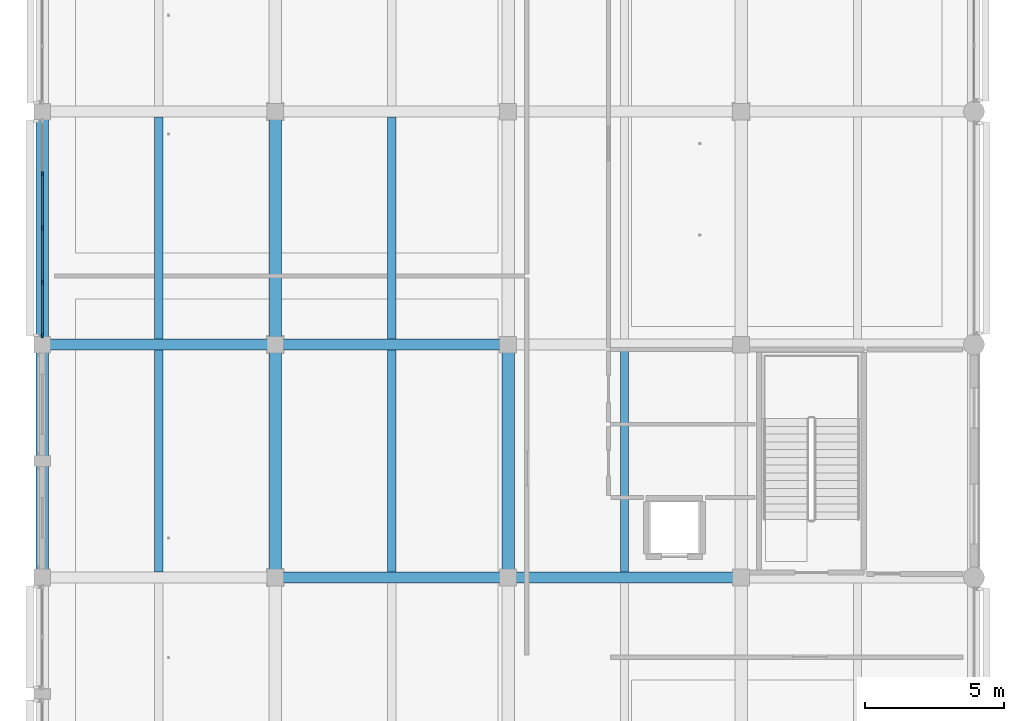
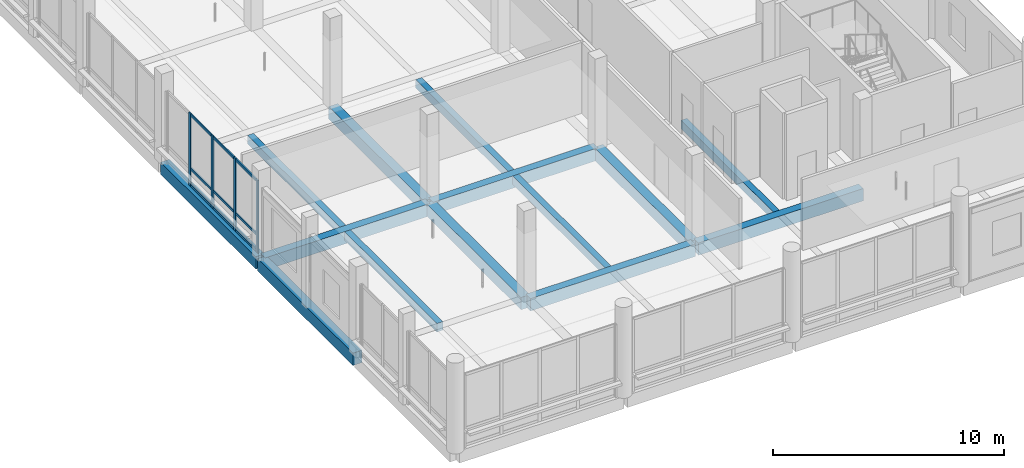
# One storey, part 4 of 122: 14 beams, 13 members, 1 element without a shape of its own.
"""IFC4 building model written with IfcOpenShell, lengths in metres."""

from ifc_helpers import new_model, si_unit, direction, frame, origin, origin_2d, place, context, subcontext, project, spatial, rectangle, extrude, material, layer, layer_set, material_profile, profile_set, type_object, element, aggregate, save


model = new_model("IFC4")

# Units and contexts
model_context = context("Model", 3, precision=1e-05, world=origin(), true_north=direction((0.0, 1.0)))
body_context = subcontext(model_context, "Body", "Model", "MODEL_VIEW")
ifc_project = project(units=[si_unit("LENGTHUNIT", "METRE"), si_unit("AREAUNIT", "SQUARE_METRE"), si_unit("VOLUMEUNIT", "CUBIC_METRE"), si_unit("PLANEANGLEUNIT", "RADIAN"), si_unit("MASSUNIT", "GRAM", prefix="KILO")], contexts=[model_context])

# Site, building, storey
site_placement = place(None, origin())
site = spatial("IfcSite", under=ifc_project, at=site_placement, CompositionType="ELEMENT")
building_placement = place(site_placement, origin())
building = spatial("IfcBuilding", under=site, at=building_placement, Name="Telukmera Botanical Conservatory", CompositionType="ELEMENT")
storey_placement = place(building_placement, frame((0.0, 0.0, 10.199951171875)))
storey = spatial("IfcBuildingStorey", under=building, at=storey_placement, Name="L02", CompositionType="ELEMENT", Elevation=10.199951171875)

# Beams
ifc_material_1 = material(Name="Concrete C40/50", Category="concrete")
ifc_material_profile_1 = material_profile(ifc_material_1, rectangle(XDim=0.449951171875, YDim=0.64990234375, at=origin_2d()), Name="RC 450x650")
ifc_profile_set_1 = profile_set([ifc_material_profile_1], Name="Concrete C40/50")
beam_type_1 = type_object("IfcBeamType", Name="Beam_B16", PredefinedType="BEAM", material=ifc_profile_set_1)
for number, where, z_axis, x_axis, name in (
    (1, (8.39990234375, 26.080078125, -0.324951171875), (0.0, 1.0, 0.0), (-1.0, 0.0, 0.0), "Visitor Wing Transverse Beam L02"),
    (2, (8.39990234375, 34.47998046875, -0.324951171875), (0.0, 1.0, 0.0), (-1.0, 0.0, 0.0), "Visitor Wing Transverse Beam L02"),
    (3, (16.800048828125, 26.080078125, -0.324951171875), (0.0, 1.0, 0.0), (-1.0, 0.0, 0.0), "Visitor Wing Transverse Beam L02"),
    (4, (16.800048828125, 34.47998046875, -0.324951171875), (0.0, 1.0, 0.0), (-1.0, 0.0, 0.0), "Visitor Wing Transverse Beam L02"),
    (5, (25.199951171875, 26.080078125, -0.324951171875), (0.0, 1.0, 0.0), (-1.0, 0.0, 0.0), "Visitor Wing Transverse Beam L02"),
):
    element("IfcBeam", number, at=place(storey_placement, frame(where, z_axis=z_axis, x_axis=x_axis)), inside=storey, type_object=beam_type_1, Name=name, PredefinedType="BEAM", context=body_context, shape_type="SweptSolid", body=[
        extrude(rectangle(XDim=0.449951171875, YDim=0.64990234375, at=origin_2d()), origin(), (0.0, 0.0, 1.0), 8.239990234375),
    ])
ifc_material_profile_2 = material_profile(ifc_material_1, rectangle(XDim=0.300048828125, YDim=0.449951171875, at=origin_2d()), Name="RC 300x450")
ifc_profile_set_2 = profile_set([ifc_material_profile_2], Name="Concrete C40/50")
beam_type_2 = type_object("IfcBeamType", Name="Beam_B25", PredefinedType="JOIST", material=ifc_profile_set_2)
for number, where, z_axis, x_axis, name in (
    (6, (12.60009765625, 26.199951171875, -0.224853515625), (0.0, 1.0, 0.0), (-1.0, 0.0, 0.0), "Visitor Wing Floor Joist L02"),
    (7, (12.60009765625, 34.60009765625, -0.224853515625), (0.0, 1.0, 0.0), (-1.0, 0.0, 0.0), "Visitor Wing Floor Joist L02"),
    (8, (21.0, 26.199951171875, -0.224853515625), (0.0, 1.0, 0.0), (-1.0, 0.0, 0.0), "Visitor Wing Floor Joist L02"),
    (9, (21.0, 34.60009765625, -0.224853515625), (0.0, 1.0, 0.0), (-1.0, 0.0, 0.0), "Visitor Wing Floor Joist L02"),
    (10, (29.39990234375, 26.199951171875, -0.224853515625), (0.0, 1.0, 0.0), (-1.0, 0.0, 0.0), "Visitor Wing Floor Joist L02"),
):
    element("IfcBeam", number, at=place(storey_placement, frame(where, z_axis=z_axis, x_axis=x_axis)), inside=storey, type_object=beam_type_2, Name=name, PredefinedType="JOIST", context=body_context, shape_type="SweptSolid", body=[
        extrude(rectangle(XDim=0.300048828125, YDim=0.449951171875, at=origin_2d()), origin(), (0.0, 0.0, 1.0), 8.0),
    ])
ifc_material_profile_3 = material_profile(ifc_material_1, rectangle(XDim=0.39990234375, YDim=0.64990234375, at=origin_2d()), Name="RC 400x650")
ifc_profile_set_3 = profile_set([ifc_material_profile_3], Name="Concrete C40/50")
beam_type_3 = type_object("IfcBeamType", Name="Beam_B8", PredefinedType="BEAM", material=ifc_profile_set_3)
beam_1_placement = place(storey_placement, frame((16.8798828125, 26.0, -0.324951171875), z_axis=(1.0, 0.0, 0.0), x_axis=(0.0, 1.0, 0.0)))
element("IfcBeam", 11, at=beam_1_placement, inside=storey, type_object=beam_type_3, Name="Visitor Wing Grid Beam L02", PredefinedType="BEAM", context=body_context, shape_type="SweptSolid", body=[
    extrude(rectangle(XDim=0.39990234375, YDim=0.64990234375, at=origin_2d()), origin(), (0.0, 0.0, 1.0), 8.240234375),
])
for number, where, z_axis, x_axis, name in (
    (12, (25.280029296875, 26.0, -0.324951171875), (1.0, 0.0, 0.0), (0.0, 1.0, 0.0), "Visitor Wing Grid Beam L02"),
    (13, (8.47998046875, 34.39990234375, -0.324951171875), (1.0, 0.0, 0.0), (0.0, 1.0, 0.0), "Visitor Wing Grid Beam L02"),
):
    element("IfcBeam", number, at=place(storey_placement, frame(where, z_axis=z_axis, x_axis=x_axis)), inside=storey, type_object=beam_type_3, Name=name, PredefinedType="BEAM", context=body_context, shape_type="SweptSolid", body=[
        extrude(rectangle(XDim=0.39990234375, YDim=0.64990234375, at=origin_2d()), origin(), (0.0, 0.0, 1.0), 8.239990234375),
    ])
beam_2_placement = place(storey_placement, frame((16.8798828125, 34.39990234375, -0.324951171875), z_axis=(1.0, 0.0, 0.0), x_axis=(0.0, 1.0, 0.0)))
element("IfcBeam", 14, at=beam_2_placement, inside=storey, type_object=beam_type_3, Name="Visitor Wing Grid Beam L02", PredefinedType="BEAM", context=body_context, shape_type="SweptSolid", body=[
    extrude(rectangle(XDim=0.39990234375, YDim=0.64990234375, at=origin_2d()), origin(), (0.0, 0.0, 1.0), 8.240234375),
])

# Curtain wall, members
ifc_material_2 = material(Name="Anodised aluminium 6063-T6", Category="aluminium")
ifc_layer = layer(ifc_material_2, 0.179931640625)
ifc_layer_set = layer_set([ifc_layer], Name="Anodised aluminium 6063-T6")
curtain_wall_type = type_object("IfcCurtainWallType", Name="Visitor Gallery First Floor Curtain Wall 1800 Mod", PredefinedType="USERDEFINED", material=ifc_layer_set)
curtain_wall_placement = place(storey_placement, origin())
curtain_wall = element("IfcCurtainWall", 15, at=curtain_wall_placement, inside=storey, type_object=curtain_wall_type, Name="Unitised Curtain Wall CW08 V3:L02:W3", ObjectType="UNITISED CURTAIN WALL", PredefinedType="USERDEFINED")
ifc_material_profile_4 = material_profile(ifc_material_2, rectangle(XDim=0.06494140625, YDim=0.159912109375, at=origin_2d()), Name="ALU MULL 65x160")
ifc_profile_set_4 = profile_set([ifc_material_profile_4], Name="Anodised aluminium 6063-T6")
member_type_1 = type_object("IfcMemberType", Name="Curtain Wall Extruded Mullion 65x160", PredefinedType="MULLION", material=ifc_profile_set_4)
member_1_placement = place(storey_placement, frame((8.39990234375, 34.734619140625, 0.0), z_axis=(0.0, 0.0, 1.0), x_axis=(-1.0, 0.0, 0.0)))
member_1 = element("IfcMember", 16, at=member_1_placement, type_object=member_type_1, Name="CW08 mullion 1", PredefinedType="MULLION", context=body_context, shape_type="SweptSolid", body=[
    extrude(rectangle(XDim=0.06494140625, YDim=0.159912109375, at=origin_2d()), origin(), (0.0, 0.0, 1.0), 3.85009765625),
])
member_2_placement = place(storey_placement, frame((8.39990234375, 36.65087890625, 0.0), z_axis=(0.0, 0.0, 1.0), x_axis=(-1.0, 0.0, 0.0)))
member_2 = element("IfcMember", 17, at=member_2_placement, type_object=member_type_1, Name="CW08 mullion 2", PredefinedType="MULLION", context=body_context, shape_type="SweptSolid", body=[
    extrude(rectangle(XDim=0.06494140625, YDim=0.159912109375, at=origin_2d()), origin(), (0.0, 0.0, 1.0), 3.85009765625),
])
member_3_placement = place(storey_placement, frame((8.39990234375, 38.60009765625, 0.0), z_axis=(0.0, 0.0, 1.0), x_axis=(-1.0, 0.0, 0.0)))
member_3 = element("IfcMember", 18, at=member_3_placement, type_object=member_type_1, Name="CW08 mullion 3", PredefinedType="MULLION", context=body_context, shape_type="SweptSolid", body=[
    extrude(rectangle(XDim=0.06494140625, YDim=0.159912109375, at=origin_2d()), origin(), (0.0, 0.0, 1.0), 3.85009765625),
])
member_4_placement = place(storey_placement, frame((8.39990234375, 40.549072265625, 0.0), z_axis=(0.0, 0.0, 1.0), x_axis=(-1.0, 0.0, 0.0)))
member_4 = element("IfcMember", 19, at=member_4_placement, type_object=member_type_1, Name="CW08 mullion 4", PredefinedType="MULLION", context=body_context, shape_type="SweptSolid", body=[
    extrude(rectangle(XDim=0.06494140625, YDim=0.159912109375, at=origin_2d()), origin(), (0.0, 0.0, 1.0), 3.85009765625),
])
ifc_material_profile_5 = material_profile(ifc_material_2, rectangle(XDim=0.06494140625, YDim=0.1298828125, at=origin_2d()), Name="ALU TRAN 65x130")
ifc_profile_set_5 = profile_set([ifc_material_profile_5], Name="Anodised aluminium 6063-T6")
member_type_2 = type_object("IfcMemberType", Name="Curtain Wall Extruded Transom 65x130", PredefinedType="USERDEFINED", material=ifc_profile_set_5)
member_5_placement = place(storey_placement, frame((8.39990234375, 34.76708984375, 0.06494140625), z_axis=(0.0, 1.0, 0.0), x_axis=(-1.0, 0.0, 0.0)))
member_5 = element("IfcMember", 20, at=member_5_placement, type_object=member_type_2, Name="CW08 transom 1.1", ObjectType="TRANSOM", PredefinedType="USERDEFINED", context=body_context, shape_type="SweptSolid", body=[
    extrude(rectangle(XDim=0.06494140625, YDim=0.1298828125, at=origin_2d()), origin(), (0.0, 0.0, 1.0), 1.851318359375),
])
member_6_placement = place(storey_placement, frame((8.39990234375, 34.76708984375, 0.949951171875), z_axis=(0.0, 1.0, 0.0), x_axis=(-1.0, 0.0, 0.0)))
member_6 = element("IfcMember", 21, at=member_6_placement, type_object=member_type_2, Name="CW08 transom 1.2", ObjectType="TRANSOM", PredefinedType="USERDEFINED", context=body_context, shape_type="SweptSolid", body=[
    extrude(rectangle(XDim=0.06494140625, YDim=0.1298828125, at=origin_2d()), origin(), (0.0, 0.0, 1.0), 1.851318359375),
])
member_7_placement = place(storey_placement, frame((8.39990234375, 34.76708984375, 3.78515625), z_axis=(0.0, 1.0, 0.0), x_axis=(-1.0, 0.0, 0.0)))
member_7 = element("IfcMember", 22, at=member_7_placement, type_object=member_type_2, Name="CW08 transom 1.3", ObjectType="TRANSOM", PredefinedType="USERDEFINED", context=body_context, shape_type="SweptSolid", body=[
    extrude(rectangle(XDim=0.06494140625, YDim=0.1298828125, at=origin_2d()), origin(), (0.0, 0.0, 1.0), 1.851318359375),
])
member_8_placement = place(storey_placement, frame((8.39990234375, 36.68359375, 0.06494140625), z_axis=(0.0, 1.0, 0.0), x_axis=(-1.0, 0.0, 0.0)))
member_8 = element("IfcMember", 23, at=member_8_placement, type_object=member_type_2, Name="CW08 transom 2.1", ObjectType="TRANSOM", PredefinedType="USERDEFINED", context=body_context, shape_type="SweptSolid", body=[
    extrude(rectangle(XDim=0.06494140625, YDim=0.1298828125, at=origin_2d()), origin(), (0.0, 0.0, 1.0), 1.8837890625),
])
member_9_placement = place(storey_placement, frame((8.39990234375, 36.68359375, 0.949951171875), z_axis=(0.0, 1.0, 0.0), x_axis=(-1.0, 0.0, 0.0)))
member_9 = element("IfcMember", 24, at=member_9_placement, type_object=member_type_2, Name="CW08 transom 2.2", ObjectType="TRANSOM", PredefinedType="USERDEFINED", context=body_context, shape_type="SweptSolid", body=[
    extrude(rectangle(XDim=0.06494140625, YDim=0.1298828125, at=origin_2d()), origin(), (0.0, 0.0, 1.0), 1.8837890625),
])
member_10_placement = place(storey_placement, frame((8.39990234375, 36.68359375, 3.78515625), z_axis=(0.0, 1.0, 0.0), x_axis=(-1.0, 0.0, 0.0)))
member_10 = element("IfcMember", 25, at=member_10_placement, type_object=member_type_2, Name="CW08 transom 2.3", ObjectType="TRANSOM", PredefinedType="USERDEFINED", context=body_context, shape_type="SweptSolid", body=[
    extrude(rectangle(XDim=0.06494140625, YDim=0.1298828125, at=origin_2d()), origin(), (0.0, 0.0, 1.0), 1.8837890625),
])
member_11_placement = place(storey_placement, frame((8.39990234375, 38.632568359375, 0.06494140625), z_axis=(0.0, 1.0, 0.0), x_axis=(-1.0, 0.0, 0.0)))
member_11 = element("IfcMember", 26, at=member_11_placement, type_object=member_type_2, Name="CW08 transom 3.1", ObjectType="TRANSOM", PredefinedType="USERDEFINED", context=body_context, shape_type="SweptSolid", body=[
    extrude(rectangle(XDim=0.06494140625, YDim=0.1298828125, at=origin_2d()), origin(), (0.0, 0.0, 1.0), 1.884033203125),
])
member_12_placement = place(storey_placement, frame((8.39990234375, 38.632568359375, 0.949951171875), z_axis=(0.0, 1.0, 0.0), x_axis=(-1.0, 0.0, 0.0)))
member_12 = element("IfcMember", 27, at=member_12_placement, type_object=member_type_2, Name="CW08 transom 3.2", ObjectType="TRANSOM", PredefinedType="USERDEFINED", context=body_context, shape_type="SweptSolid", body=[
    extrude(rectangle(XDim=0.06494140625, YDim=0.1298828125, at=origin_2d()), origin(), (0.0, 0.0, 1.0), 1.884033203125),
])
member_13_placement = place(storey_placement, frame((8.39990234375, 38.632568359375, 3.78515625), z_axis=(0.0, 1.0, 0.0), x_axis=(-1.0, 0.0, 0.0)))
member_13 = element("IfcMember", 28, at=member_13_placement, type_object=member_type_2, Name="CW08 transom 3.3", ObjectType="TRANSOM", PredefinedType="USERDEFINED", context=body_context, shape_type="SweptSolid", body=[
    extrude(rectangle(XDim=0.06494140625, YDim=0.1298828125, at=origin_2d()), origin(), (0.0, 0.0, 1.0), 1.884033203125),
])
aggregate(curtain_wall, [member_1, member_2, member_3, member_4, member_5, member_6, member_7, member_8, member_9, member_10, member_11, member_12, member_13])

save(model, "model.ifc")
